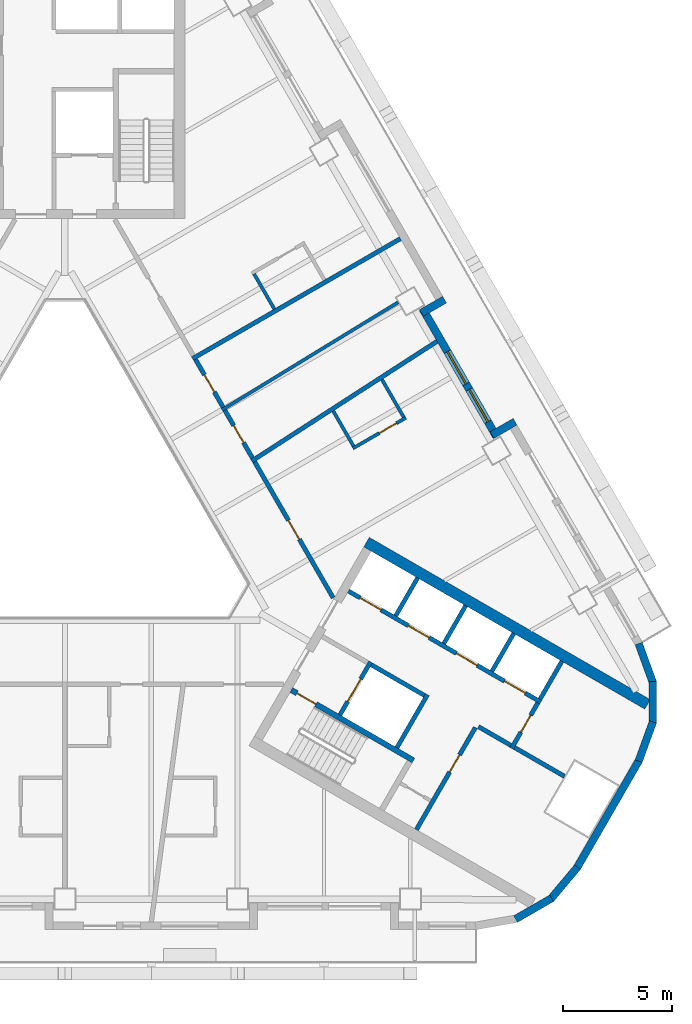
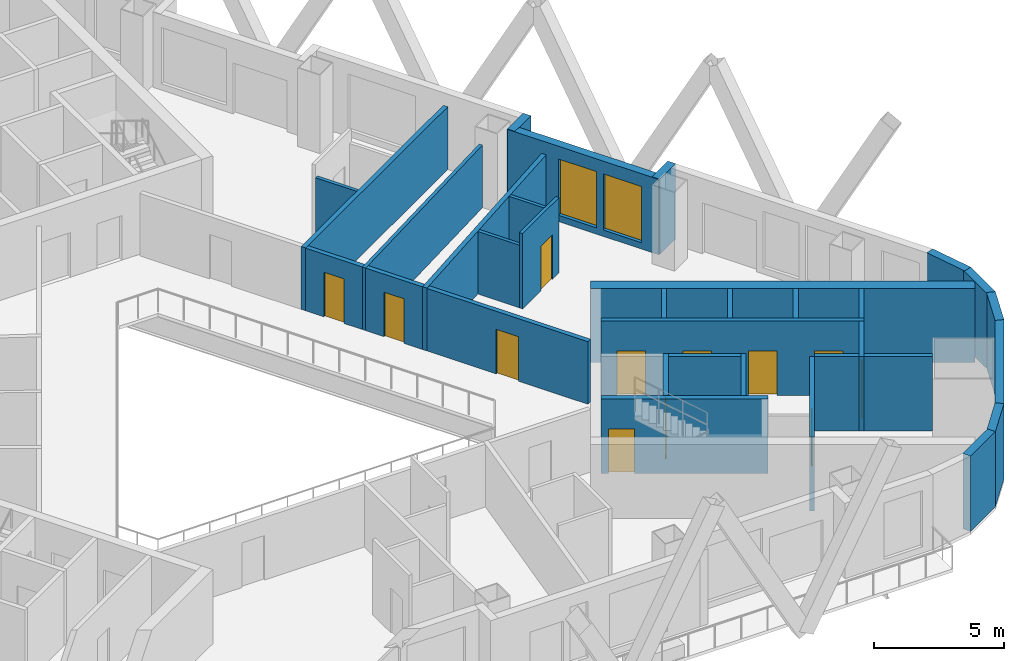
# One storey, part 5 of 13: 33 walls, 12 doors, 2 windows, 14 openings.
"""IFC4 building model written with IfcOpenShell, lengths in metres."""

from ifc_helpers import new_model, si_unit, direction, frame, frame_2d, origin, place, context, subcontext, project, spatial, rectangle, extrude, material, layer, layer_set, type_object, element, fill, save


model = new_model("IFC4")

# Units and contexts
model_context = context("Model", 3, precision=1e-05, world=origin(), true_north=direction((0.0, 1.0)))
body_context = subcontext(model_context, "Body", "Model", "MODEL_VIEW")
ifc_project = project(units=[si_unit("LENGTHUNIT", "METRE"), si_unit("AREAUNIT", "SQUARE_METRE"), si_unit("VOLUMEUNIT", "CUBIC_METRE"), si_unit("PLANEANGLEUNIT", "RADIAN"), si_unit("MASSUNIT", "GRAM", prefix="KILO")], contexts=[model_context])

# Site, building, storey
site_placement = place(None, origin())
site = spatial("IfcSite", under=ifc_project, at=site_placement, CompositionType="ELEMENT")
building_placement = place(site_placement, origin())
building = spatial("IfcBuilding", under=site, at=building_placement, Name="Apuvela Tower Hotel", CompositionType="ELEMENT")
storey_placement = place(building_placement, frame((0.0, 0.0, 68.699951171875)))
storey = spatial("IfcBuildingStorey", under=building, at=storey_placement, Name="L14", CompositionType="ELEMENT", Elevation=68.699951171875)

# Wall
ifc_material_1 = material(Name="Concrete C50/60", Category="concrete")
ifc_layer_1 = layer(ifc_material_1, 0.5)
ifc_layer_set_1 = layer_set([ifc_layer_1], Name="COR-WALL-CORE-500")
wall_type_1 = type_object("IfcWallType", Name="COR-WALL-CORE-500", PredefinedType="SHEAR", material=ifc_layer_set_1)
wall_1_placement = place(storey_placement, frame((13.796630859375, -1.9033203125, 0.0), z_axis=(0.0, 0.0, 1.0), x_axis=(0.866025009528, -0.500000682871, 0.0)))
element("IfcWall", 1, at=wall_1_placement, inside=storey, type_object=wall_type_1, Name="Core wall SE", PredefinedType="SHEAR", context=body_context, shape_type="SweptSolid", body=[
    extrude(rectangle(XDim=14.8369140625, YDim=0.5, at=frame_2d((7.41845703125, 0.0))), origin(), (0.0, 0.0, 1.0), 3.5),
])

# Wall, opening, door
ifc_material_2 = material(Name="Blockwork 200 mm plastered", Category="masonry")
ifc_layer_2 = layer(ifc_material_2, 0.199951171875)
ifc_layer_set_2 = layer_set([ifc_layer_2], Name="COR-WALL-PART-200")
wall_type_2 = type_object("IfcWallType", Name="COR-WALL-PART-200", PredefinedType="PARTITIONING", material=ifc_layer_set_2)
wall_2_placement = place(storey_placement, frame((16.076171875, -15.05517578125, 0.0), z_axis=(0.0, 0.0, 1.0), x_axis=(0.499995103361, 0.866028230842, 0.0)))
wall_2 = element("IfcWall", 2, at=wall_2_placement, inside=storey, type_object=wall_type_2, Name="Partition SE", PredefinedType="PARTITIONING", context=body_context, shape_type="SweptSolid", body=[
    extrude(rectangle(XDim=5.39990234375, YDim=0.199951171875, at=frame_2d((2.699951171875, 0.0))), origin(), (0.0, 0.0, 1.0), 3.5),
])
opening_1_placement = place(wall_2_placement, frame((3.050048828125, 0.0, 0.0)))
opening_1 = element("IfcOpeningElement", 3, at=opening_1_placement, cuts=wall_2, Name="Opening E-RS1", PredefinedType="OPENING", context=body_context, shape_type="SweptSolid", body=[
    extrude(rectangle(XDim=0.89990234375, YDim=2.10009765625, at=frame_2d((0.449951171875, 1.050048828125))), frame((0.0, 0.10986328125, 0.0), z_axis=(0.0, -1.0, 0.0), x_axis=(1.0, 0.0, 0.0)), (0.0, 0.0, 1.0), 0.219970703125),
])
ifc_material_3 = material(Name="Steel fire door, powder coated", Category="steel")
door_type_1 = type_object("IfcDoorType", Name="COR-DR-900", OperationType="NOTDEFINED", PredefinedType="DOOR", material=ifc_material_3)
door_1_placement = place(opening_1_placement, frame((0.89990234375, 0.0, 0.0), z_axis=(0.0, 0.0, 1.0), x_axis=(-1.0, 0.0, 0.0)))
door_1 = element("IfcDoor", 4, at=door_1_placement, inside=storey, type_object=door_type_1, Name="Store door E-RS1", OperationType="SINGLE_SWING_LEFT", OverallHeight=2.10009765625, OverallWidth=0.89990234375, PredefinedType="DOOR", context=body_context, shape_type="SweptSolid", body=[
    extrude(rectangle(XDim=0.89990234375, YDim=2.10009765625, at=frame_2d((0.449951171875, 1.050048828125))), frame((0.0, 0.02490234375, 0.0), z_axis=(0.0, -1.0, 0.0), x_axis=(1.0, 0.0, 0.0)), (0.0, 0.0, 1.0), 0.050048828125),
])
fill(opening_1, door_1)

# Wall
ifc_layer_3 = layer(ifc_material_1, 0.199951171875)
ifc_layer_set_3 = layer_set([ifc_layer_3], Name="COR-WALL-SHAFT-200")
wall_type_3 = type_object("IfcWallType", Name="COR-WALL-SHAFT-200", PredefinedType="SHEAR", material=ifc_layer_set_3)
wall_3_placement = place(storey_placement, frame((15.181396484375, -11.305419921875, 0.0), z_axis=(0.0, 0.0, 1.0), x_axis=(0.49994636267, 0.866056369097, 0.0)))
element("IfcWall", 5, at=wall_3_placement, inside=storey, type_object=wall_type_3, Name="Shaft wall SE", PredefinedType="SHEAR", context=body_context, shape_type="SweptSolid", body=[
    extrude(rectangle(XDim=2.800048828125, YDim=0.199951171875, at=frame_2d((1.39990234375, 0.0))), origin(), (0.0, 0.0, 1.0), 3.5),
])

# Wall, opening, door
wall_4_placement = place(storey_placement, frame((12.583251953125, -9.805419921875, 0.0), z_axis=(0.0, 0.0, 1.0), x_axis=(0.49994636267, 0.866056369097, 0.0)))
wall_4 = element("IfcWall", 6, at=wall_4_placement, inside=storey, type_object=wall_type_3, Name="Shaft wall SE", PredefinedType="SHEAR", context=body_context, shape_type="SweptSolid", body=[
    extrude(rectangle(XDim=2.800048828125, YDim=0.199951171875, at=frame_2d((1.39990234375, 0.0))), origin(), (0.0, 0.0, 1.0), 3.5),
])
opening_2_placement = place(wall_4_placement, frame((0.699951171875, 0.0, 0.0)))
opening_2 = element("IfcOpeningElement", 7, at=opening_2_placement, cuts=wall_4, Name="Opening E-LD-FS3", PredefinedType="OPENING", context=body_context, shape_type="SweptSolid", body=[
    extrude(rectangle(XDim=1.199951171875, YDim=2.10009765625, at=frame_2d((0.60009765625, 1.050048828125))), frame((0.0, 0.10986328125, 0.0), z_axis=(0.0, -1.0, 0.0), x_axis=(1.0, 0.0, 0.0)), (0.0, 0.0, 1.0), 0.219970703125),
])
ifc_material_4 = material(Name="Stainless steel lift landing door", Category="steel")
door_type_2 = type_object("IfcDoorType", Name="COR-LD-1200", OperationType="DOUBLE_DOOR_SLIDING", PredefinedType="DOOR", material=ifc_material_4)
door_2_placement = place(opening_2_placement, origin())
door_2 = element("IfcDoor", 8, at=door_2_placement, inside=storey, type_object=door_type_2, Name="Lift landing door E-LD-FS3", OperationType="DOUBLE_DOOR_SLIDING", OverallHeight=2.10009765625, OverallWidth=1.199951171875, PredefinedType="DOOR", context=body_context, shape_type="SweptSolid", body=[
    extrude(rectangle(XDim=1.199951171875, YDim=2.10009765625, at=frame_2d((0.60009765625, 1.050048828125))), frame((0.0, 0.02490234375, 0.0), z_axis=(0.0, -1.0, 0.0), x_axis=(1.0, 0.0, 0.0)), (0.0, 0.0, 1.0), 0.050048828125),
])
fill(opening_2, door_2)

# Wall
wall_5_placement = place(storey_placement, frame((14.019775390625, -7.51708984375, 0.0), z_axis=(0.0, 0.0, 1.0), x_axis=(0.866034573852, -0.49998411664, 0.0)))
element("IfcWall", 9, at=wall_5_placement, inside=storey, type_object=wall_type_3, Name="Shaft wall SE", PredefinedType="SHEAR", context=body_context, shape_type="SweptSolid", body=[
    extrude(rectangle(XDim=2.7998046875, YDim=0.199951171875, at=frame_2d((1.39990234375, 0.0))), origin(), (0.0, 0.0, 1.0), 3.5),
])

# Wall, openings, doors
wall_6_placement = place(storey_placement, frame((12.968017578125, -4.138427734375, 0.0), z_axis=(0.0, 0.0, 1.0), x_axis=(0.866028328073, -0.49999493495, 0.0)))
wall_6 = element("IfcWall", 10, at=wall_6_placement, inside=storey, type_object=wall_type_3, Name="Shaft wall SE", PredefinedType="SHEAR", context=body_context, shape_type="SweptSolid", body=[
    extrude(rectangle(XDim=10.16015625, YDim=0.199951171875, at=frame_2d((5.080078125, 0.0))), origin(), (0.0, 0.0, 1.0), 3.5),
])
opening_3_placement = place(wall_6_placement, frame((0.6201171875, 0.0, 0.0)))
opening_3 = element("IfcOpeningElement", 11, at=opening_3_placement, cuts=wall_6, Name="Opening E-LD-LR1", PredefinedType="OPENING", context=body_context, shape_type="SweptSolid", body=[
    extrude(rectangle(XDim=1.10009765625, YDim=2.10009765625, at=frame_2d((0.550048828125, 1.050048828125))), frame((0.0, 0.10986328125, 0.0), z_axis=(0.0, -1.0, 0.0), x_axis=(1.0, 0.0, 0.0)), (0.0, 0.0, 1.0), 0.219970703125),
])
opening_4_placement = place(wall_6_placement, frame((3.159912109375, 0.0, 0.0)))
opening_4 = element("IfcOpeningElement", 12, at=opening_4_placement, cuts=wall_6, Name="Opening E-LD-LR2", PredefinedType="OPENING", context=body_context, shape_type="SweptSolid", body=[
    extrude(rectangle(XDim=1.10009765625, YDim=2.10009765625, at=frame_2d((0.550048828125, 1.050048828125))), frame((0.0, 0.10986328125, 0.0), z_axis=(0.0, -1.0, 0.0), x_axis=(1.0, 0.0, 0.0)), (0.0, 0.0, 1.0), 0.219970703125),
])
opening_5_placement = place(wall_6_placement, frame((5.699951171875, 0.0, 0.0)))
opening_5 = element("IfcOpeningElement", 13, at=opening_5_placement, cuts=wall_6, Name="Opening E-LD-LR3", PredefinedType="OPENING", context=body_context, shape_type="SweptSolid", body=[
    extrude(rectangle(XDim=1.10009765625, YDim=2.10009765625, at=frame_2d((0.550048828125, 1.050048828125))), frame((0.0, 0.10986328125, 0.0), z_axis=(0.0, -1.0, 0.0), x_axis=(1.0, 0.0, 0.0)), (0.0, 0.0, 1.0), 0.219970703125),
])
opening_6_placement = place(wall_6_placement, frame((8.239990234375, 0.0, 0.0)))
opening_6 = element("IfcOpeningElement", 14, at=opening_6_placement, cuts=wall_6, Name="Opening E-LD-LR4", PredefinedType="OPENING", context=body_context, shape_type="SweptSolid", body=[
    extrude(rectangle(XDim=1.10009765625, YDim=2.10009765625, at=frame_2d((0.550048828125, 1.050048828125))), frame((0.0, 0.10986328125, 0.0), z_axis=(0.0, -1.0, 0.0), x_axis=(1.0, 0.0, 0.0)), (0.0, 0.0, 1.0), 0.219970703125),
])
door_type_3 = type_object("IfcDoorType", Name="COR-LD-1100", OperationType="DOUBLE_DOOR_SLIDING", PredefinedType="DOOR", material=ifc_material_4)
door_3_placement = place(opening_3_placement, origin())
door_3 = element("IfcDoor", 15, at=door_3_placement, inside=storey, type_object=door_type_3, Name="Lift landing door E-LD-LR1", OperationType="DOUBLE_DOOR_SLIDING", OverallHeight=2.10009765625, OverallWidth=1.10009765625, PredefinedType="DOOR", context=body_context, shape_type="SweptSolid", body=[
    extrude(rectangle(XDim=1.10009765625, YDim=2.10009765625, at=frame_2d((0.550048828125, 1.050048828125))), frame((0.0, 0.02490234375, 0.0), z_axis=(0.0, -1.0, 0.0), x_axis=(1.0, 0.0, 0.0)), (0.0, 0.0, 1.0), 0.050048828125),
])
fill(opening_3, door_3)
door_4_placement = place(opening_4_placement, origin())
door_4 = element("IfcDoor", 16, at=door_4_placement, inside=storey, type_object=door_type_3, Name="Lift landing door E-LD-LR2", OperationType="DOUBLE_DOOR_SLIDING", OverallHeight=2.10009765625, OverallWidth=1.10009765625, PredefinedType="DOOR", context=body_context, shape_type="SweptSolid", body=[
    extrude(rectangle(XDim=1.10009765625, YDim=2.10009765625, at=frame_2d((0.550048828125, 1.050048828125))), frame((0.0, 0.02490234375, 0.0), z_axis=(0.0, -1.0, 0.0), x_axis=(1.0, 0.0, 0.0)), (0.0, 0.0, 1.0), 0.050048828125),
])
fill(opening_4, door_4)
door_5_placement = place(opening_5_placement, origin())
door_5 = element("IfcDoor", 17, at=door_5_placement, inside=storey, type_object=door_type_3, Name="Lift landing door E-LD-LR3", OperationType="DOUBLE_DOOR_SLIDING", OverallHeight=2.10009765625, OverallWidth=1.10009765625, PredefinedType="DOOR", context=body_context, shape_type="SweptSolid", body=[
    extrude(rectangle(XDim=1.10009765625, YDim=2.10009765625, at=frame_2d((0.550048828125, 1.050048828125))), frame((0.0, 0.02490234375, 0.0), z_axis=(0.0, -1.0, 0.0), x_axis=(1.0, 0.0, 0.0)), (0.0, 0.0, 1.0), 0.050048828125),
])
fill(opening_5, door_5)
door_6_placement = place(opening_6_placement, origin())
door_6 = element("IfcDoor", 18, at=door_6_placement, inside=storey, type_object=door_type_3, Name="Lift landing door E-LD-LR4", OperationType="DOUBLE_DOOR_SLIDING", OverallHeight=2.10009765625, OverallWidth=1.10009765625, PredefinedType="DOOR", context=body_context, shape_type="SweptSolid", body=[
    extrude(rectangle(XDim=1.10009765625, YDim=2.10009765625, at=frame_2d((0.550048828125, 1.050048828125))), frame((0.0, 0.02490234375, 0.0), z_axis=(0.0, -1.0, 0.0), x_axis=(1.0, 0.0, 0.0)), (0.0, 0.0, 1.0), 0.050048828125),
])
fill(opening_6, door_6)

# Wall, opening, door
wall_7_placement = place(storey_placement, frame((20.430419921875, -11.33349609375, 0.0), z_axis=(0.0, 0.0, 1.0), x_axis=(0.500001309137, 0.866024647952, 0.0)))
wall_7 = element("IfcWall", 19, at=wall_7_placement, inside=storey, type_object=wall_type_3, Name="Shaft wall SE", PredefinedType="SHEAR", context=body_context, shape_type="SweptSolid", body=[
    extrude(rectangle(XDim=2.39990234375, YDim=0.199951171875, at=frame_2d((1.199951171875, 0.0))), origin(), (0.0, 0.0, 1.0), 3.5),
])
opening_7_placement = place(wall_7_placement, frame((0.85009765625, 0.0, 0.0)))
opening_7 = element("IfcOpeningElement", 20, at=opening_7_placement, cuts=wall_7, Name="Opening E-REP", PredefinedType="OPENING", context=body_context, shape_type="SweptSolid", body=[
    extrude(rectangle(XDim=0.89990234375, YDim=2.10009765625, at=frame_2d((0.449951171875, 1.050048828125))), frame((0.0, 0.10986328125, 0.0), z_axis=(0.0, -1.0, 0.0), x_axis=(1.0, 0.0, 0.0)), (0.0, 0.0, 1.0), 0.219970703125),
])
door_7_placement = place(opening_7_placement, frame((0.89990234375, 0.0, 0.0), z_axis=(0.0, 0.0, 1.0), x_axis=(-1.0, 0.0, 0.0)))
door_7 = element("IfcDoor", 21, at=door_7_placement, inside=storey, type_object=door_type_1, Name="Store door E-REP", OperationType="SINGLE_SWING_RIGHT", OverallHeight=2.10009765625, OverallWidth=0.89990234375, PredefinedType="DOOR", context=body_context, shape_type="SweptSolid", body=[
    extrude(rectangle(XDim=0.89990234375, YDim=2.10009765625, at=frame_2d((0.449951171875, 1.050048828125))), frame((0.0, 0.02490234375, 0.0), z_axis=(0.0, -1.0, 0.0), x_axis=(1.0, 0.0, 0.0)), (0.0, 0.0, 1.0), 0.050048828125),
])
fill(opening_7, door_7)

# Walls
wall_8_placement = place(storey_placement, frame((18.912841796875, -10.342041015625, 0.0), z_axis=(0.0, 0.0, 1.0), x_axis=(0.866038183914, -0.499977863513, 0.0)))
element("IfcWall", 22, at=wall_8_placement, inside=storey, type_object=wall_type_3, Name="Shaft wall SE", PredefinedType="SHEAR", context=body_context, shape_type="SweptSolid", body=[
    extrude(rectangle(XDim=1.7099609375, YDim=0.199951171875, at=frame_2d((0.85498046875, 0.0))), origin(), (0.0, 0.0, 1.0), 3.5),
])
for number, where, z_axis, x_axis, name in (
    (23, (15.131103515625, -5.27197265625, 0.0), (0.0, 0.0, 1.0), (0.499972520799, 0.866041268327, 0.0), "Shaft wall SE"),
    (24, (17.330810546875, -6.5419921875, 0.0), (0.0, 0.0, 1.0), (0.499972520799, 0.866041268327, 0.0), "Shaft wall SE"),
    (25, (19.530517578125, -7.81201171875, 0.0), (0.0, 0.0, 1.0), (0.499972520799, 0.866041268327, 0.0), "Shaft wall SE"),
    (26, (21.73046875, -9.081787109375, 0.0), (0.0, 0.0, 1.0), (0.50002537861, 0.866010750942, 0.0), "Shaft wall SE"),
):
    element("IfcWall", number, at=place(storey_placement, frame(where, z_axis=z_axis, x_axis=x_axis)), inside=storey, type_object=wall_type_3, Name=name, PredefinedType="SHEAR", context=body_context, shape_type="SweptSolid", body=[
        extrude(rectangle(XDim=2.0, YDim=0.199951171875, at=frame_2d((1.0, 0.0))), origin(), (0.0, 0.0, 1.0), 3.5),
    ])
wall_9_placement = place(storey_placement, frame((20.56689453125, -11.297119140625, 0.0), z_axis=(0.0, 0.0, 1.0), x_axis=(0.866060851709, -0.499938597367, 0.0)))
element("IfcWall", 27, at=wall_9_placement, inside=storey, type_object=wall_type_3, Name="Shaft wall SE", PredefinedType="SHEAR", context=body_context, shape_type="SweptSolid", body=[
    extrude(rectangle(XDim=2.639892578125, YDim=0.199951171875, at=frame_2d((1.31982421875, 0.0))), origin(), (0.0, 0.0, 1.0), 3.5),
])

# Wall, opening, door
ifc_layer_4 = layer(ifc_material_1, 0.25)
ifc_layer_set_4 = layer_set([ifc_layer_4], Name="COR-WALL-STAIR-250")
wall_type_4 = type_object("IfcWallType", Name="COR-WALL-STAIR-250", PredefinedType="SHEAR", material=ifc_layer_set_4)
wall_10_placement = place(storey_placement, frame((10.355712890625, -8.66357421875, 0.0), z_axis=(0.0, 0.0, 1.0), x_axis=(0.866028629588, -0.499994412703, 0.0)))
wall_10 = element("IfcWall", 28, at=wall_10_placement, inside=storey, type_object=wall_type_4, Name="Stair wall SE", PredefinedType="SHEAR", context=body_context, shape_type="SweptSolid", body=[
    extrude(rectangle(XDim=6.44970703125, YDim=0.25, at=frame_2d((3.224853515625, 0.0))), origin(), (0.0, 0.0, 1.0), 3.5),
])
opening_8_placement = place(wall_10_placement, frame((0.300048828125, 0.0, 0.0)))
opening_8 = element("IfcOpeningElement", 29, at=opening_8_placement, cuts=wall_10, Name="Opening E-SD", PredefinedType="OPENING", context=body_context, shape_type="SweptSolid", body=[
    extrude(rectangle(XDim=1.0, YDim=2.10009765625, at=frame_2d((0.5, 1.050048828125))), frame((0.0, 0.135009765625, 0.0), z_axis=(0.0, -1.0, 0.0), x_axis=(1.0, 0.0, 0.0)), (0.0, 0.0, 1.0), 0.27001953125),
])
door_type_4 = type_object("IfcDoorType", Name="COR-SD-1000", OperationType="NOTDEFINED", PredefinedType="DOOR", material=ifc_material_3)
door_8_placement = place(opening_8_placement, frame((1.0, 0.0, 0.0), z_axis=(0.0, 0.0, 1.0), x_axis=(-1.0, 0.0, 0.0)))
door_8 = element("IfcDoor", 30, at=door_8_placement, inside=storey, type_object=door_type_4, Name="Stair door E-SD", OperationType="SINGLE_SWING_LEFT", OverallHeight=2.10009765625, OverallWidth=1.0, PredefinedType="DOOR", context=body_context, shape_type="SweptSolid", body=[
    extrude(rectangle(XDim=1.0, YDim=2.10009765625, at=frame_2d((0.5, 1.050048828125))), frame((0.0, 0.02490234375, 0.0), z_axis=(0.0, -1.0, 0.0), x_axis=(1.0, 0.0, 0.0)), (0.0, 0.0, 1.0), 0.050048828125),
])
fill(opening_8, door_8)

# Walls
ifc_material_5 = material(Name="Concrete C40/50, dark pigmented precast panel", Category="concrete")
ifc_layer_5 = layer(ifc_material_5, 0.35009765625)
ifc_layer_set_5 = layer_set([ifc_layer_5], Name="ENV-WALL-350")
wall_type_5 = type_object("IfcWallType", Name="ENV-WALL-350", PredefinedType="SOLIDWALL", material=ifc_layer_set_5)
for number, where, z_axis, x_axis, name in (
    (31, (20.609619140625, -19.146728515625, 0.0), (0.0, 0.0, 1.0), (0.866000389056, 0.500043324278, 0.0), "External wall L14-27"),
    (32, (22.21728515625, -18.230712890625, 0.0), (0.0, 0.0, 1.0), (0.642733291068, 0.76609001857, 0.0), "External wall L14-28"),
):
    element("IfcWall", number, at=place(storey_placement, frame(where, z_axis=z_axis, x_axis=x_axis)), inside=storey, type_object=wall_type_5, Name=name, PredefinedType="SOLIDWALL", context=body_context, shape_type="SweptSolid", body=[
        extrude(rectangle(XDim=1.909912109375, YDim=0.35009765625, at=frame_2d((0.955078125, 0.0))), origin(), (0.0, 0.0, 1.0), 3.550048828125),
    ])
wall_11_placement = place(storey_placement, frame((23.427490234375, -16.79248046875, 0.0), z_axis=(0.0, 0.0, 1.0), x_axis=(0.500018773155, 0.866014564827, 0.0)))
element("IfcWall", 33, at=wall_11_placement, inside=storey, type_object=wall_type_5, Name="External wall L14-29", PredefinedType="SOLIDWALL", context=body_context, shape_type="SweptSolid", body=[
    extrude(rectangle(XDim=5.657958984375, YDim=0.35009765625, at=frame_2d((2.8291015625, 0.0))), origin(), (0.0, 0.0, 1.0), 3.550048828125),
])
for number, where, z_axis, x_axis, name in (
    (34, (26.24365234375, -11.920166015625, 0.0), (0.0, 0.0, 1.0), (0.342030395486, 0.939688889242, 0.0), "External wall L14-30"),
    (35, (26.88623046875, -10.18505859375, 0.0), (0.0, 0.0, 1.0), (0.0, 1.0, 0.0), "External wall L14-31"),
    (36, (26.89697265625, -8.334716796875, 0.0), (0.0, 0.0, 1.0), (-0.342030395486, 0.939688889242, 0.0), "External wall L14-32"),
):
    element("IfcWall", number, at=place(storey_placement, frame(where, z_axis=z_axis, x_axis=x_axis)), inside=storey, type_object=wall_type_5, Name=name, PredefinedType="SOLIDWALL", context=body_context, shape_type="SweptSolid", body=[
        extrude(rectangle(XDim=1.91015625, YDim=0.35009765625, at=frame_2d((0.955078125, 0.0))), origin(), (0.0, 0.0, 1.0), 3.550048828125),
    ])
wall_12_placement = place(storey_placement, frame((20.587646484375, 3.601318359375, 0.0), z_axis=(0.0, 0.0, 1.0), x_axis=(-0.866005645448, -0.500034220881, 0.0)))
element("IfcWall", 37, at=wall_12_placement, inside=storey, type_object=wall_type_5, Name="External wall L14-34", PredefinedType="SOLIDWALL", context=body_context, shape_type="SweptSolid", body=[
    extrude(rectangle(XDim=1.22021484375, YDim=0.35009765625, at=frame_2d((0.610107421875, 0.0))), origin(), (0.0, 0.0, 1.0), 3.550048828125),
])

# Wall, openings, windows
wall_13_placement = place(storey_placement, frame((19.72900390625, 2.93798828125, 0.0), z_axis=(0.0, 0.0, 1.0), x_axis=(-0.499976430342, 0.866039011305, 0.0)))
wall_13 = element("IfcWall", 38, at=wall_13_placement, inside=storey, type_object=wall_type_5, Name="External wall L14-35", PredefinedType="SOLIDWALL", context=body_context, shape_type="SweptSolid", body=[
    extrude(rectangle(XDim=6.739990234375, YDim=0.35009765625, at=frame_2d((3.3701171875, 0.0))), origin(), (0.0, 0.0, 1.0), 3.550048828125),
])
opening_9_placement = place(wall_13_placement, frame((0.77001953125, 0.0, 0.300048828125)))
opening_9 = element("IfcOpeningElement", 39, at=opening_9_placement, cuts=wall_13, Name="Opening WN17", PredefinedType="OPENING", context=body_context, shape_type="SweptSolid", body=[
    extrude(rectangle(XDim=1.699951171875, YDim=2.64990234375, at=frame_2d((0.85009765625, 1.324951171875))), frame((0.0, 0.18505859375, 0.0), z_axis=(0.0, -1.0, 0.0), x_axis=(1.0, 0.0, 0.0)), (0.0, 0.0, 1.0), 0.3701171875),
])
opening_10_placement = place(wall_13_placement, frame((2.77001953125, 0.0, 0.300048828125)))
opening_10 = element("IfcOpeningElement", 40, at=opening_10_placement, cuts=wall_13, Name="Opening WN17", PredefinedType="OPENING", context=body_context, shape_type="SweptSolid", body=[
    extrude(rectangle(XDim=1.699951171875, YDim=2.64990234375, at=frame_2d((0.85009765625, 1.324951171875))), frame((0.0, 0.18505859375, 0.0), z_axis=(0.0, -1.0, 0.0), x_axis=(1.0, 0.0, 0.0)), (0.0, 0.0, 1.0), 0.3701171875),
])
ifc_material_6 = material(Name="Glass, dark tinted laminated insulated glazing unit", Category="glass")
window_type = type_object("IfcWindowType", Name="ENV-WIN-1700x2650", PartitioningType="SINGLE_PANEL", PredefinedType="WINDOW", material=ifc_material_6)
window_1_placement = place(opening_9_placement, origin())
window_1 = element("IfcWindow", 41, at=window_1_placement, inside=storey, type_object=window_type, Name="Window WN17", OverallHeight=2.64990234375, OverallWidth=1.699951171875, PartitioningType="SINGLE_PANEL", PredefinedType="WINDOW", context=body_context, shape_type="SweptSolid", body=[
    extrude(rectangle(XDim=1.699951171875, YDim=2.64990234375, at=frame_2d((0.85009765625, 1.324951171875))), frame((0.0, 0.030029296875, 0.0), z_axis=(0.0, -1.0, 0.0), x_axis=(1.0, 0.0, 0.0)), (0.0, 0.0, 1.0), 0.06005859375),
])
fill(opening_9, window_1)
window_2_placement = place(opening_10_placement, origin())
window_2 = element("IfcWindow", 42, at=window_2_placement, inside=storey, type_object=window_type, Name="Window WN17", OverallHeight=2.64990234375, OverallWidth=1.699951171875, PartitioningType="SINGLE_PANEL", PredefinedType="WINDOW", context=body_context, shape_type="SweptSolid", body=[
    extrude(rectangle(XDim=1.699951171875, YDim=2.64990234375, at=frame_2d((0.85009765625, 1.324951171875))), frame((0.0, 0.030029296875, 0.0), z_axis=(0.0, -1.0, 0.0), x_axis=(1.0, 0.0, 0.0)), (0.0, 0.0, 1.0), 0.06005859375),
])
fill(opening_10, window_2)

# Walls
wall_14_placement = place(storey_placement, frame((16.305908203125, 8.5771484375, 0.0), z_axis=(0.0, 0.0, 1.0), x_axis=(0.866092288191, 0.499884134912, 0.0)))
element("IfcWall", 43, at=wall_14_placement, inside=storey, type_object=wall_type_5, Name="External wall L14-36", PredefinedType="SOLIDWALL", context=body_context, shape_type="SweptSolid", body=[
    extrude(rectangle(XDim=1.219970703125, YDim=0.35009765625, at=frame_2d((0.60986328125, 0.0))), origin(), (0.0, 0.0, 1.0), 3.550048828125),
])
ifc_material_7 = material(Name="Gypsum board partition on twin steel stud", Category="steel")
ifc_layer_6 = layer(ifc_material_7, 0.199951171875)
ifc_layer_set_6 = layer_set([ifc_layer_6], Name="GST-PW1")
wall_type_6 = type_object("IfcWallType", Name="GST-PW1", PredefinedType="PARTITIONING", material=ifc_layer_set_6)
wall_15_placement = place(storey_placement, frame((17.02001953125, 7.2802734375, 0.0), z_axis=(0.0, 0.0, 1.0), x_axis=(-0.839924980805, -0.542702521294, 0.0)))
element("IfcWall", 44, at=wall_15_placement, inside=storey, type_object=wall_type_6, Name="L14 partition 03", PredefinedType="PARTITIONING", context=body_context, shape_type="SweptSolid", body=[
    extrude(rectangle(XDim=10.092529296875, YDim=0.199951171875, at=frame_2d((5.04638671875, 0.0))), origin(), (0.0, 0.0, 1.0), 2.9599609375),
])
wall_16_placement = place(storey_placement, frame((15.346923828125, 11.978271484375, 0.0), z_axis=(0.0, 0.0, 1.0), x_axis=(-0.866027479907, -0.499996404033, 0.0)))
element("IfcWall", 45, at=wall_16_placement, inside=storey, type_object=wall_type_6, Name="L14 partition 04", PredefinedType="PARTITIONING", context=body_context, shape_type="SweptSolid", body=[
    extrude(rectangle(XDim=10.97998046875, YDim=0.199951171875, at=frame_2d((5.489990234375, 0.0))), origin(), (0.0, 0.0, 1.0), 2.9599609375),
])

# Wall, opening, door
ifc_material_8 = material(Name="Gypsum board corridor wall on twin steel stud, acoustic", Category="steel")
ifc_layer_7 = layer(ifc_material_8, 0.199951171875)
ifc_layer_set_7 = layer_set([ifc_layer_7], Name="GST-PW2")
wall_type_7 = type_object("IfcWallType", Name="GST-PW2", PredefinedType="PARTITIONING", material=ifc_layer_set_7)
wall_17_placement = place(storey_placement, frame((8.67724609375, 1.770751953125, 0.0), z_axis=(0.0, 0.0, 1.0), x_axis=(0.50000293509, -0.866023709203, 0.0)))
wall_17 = element("IfcWall", 46, at=wall_17_placement, inside=storey, type_object=wall_type_7, Name="L14 partition 18", PredefinedType="PARTITIONING", context=body_context, shape_type="SweptSolid", body=[
    extrude(rectangle(XDim=7.18310546875, YDim=0.199951171875, at=frame_2d((3.591552734375, 0.0))), origin(), (0.0, 0.0, 1.0), 2.949951171875),
])
opening_11_placement = place(wall_17_placement, frame((3.091552734375, 0.0, 0.0)))
opening_11 = element("IfcOpeningElement", 47, at=opening_11_placement, cuts=wall_17, Name="Opening GD03-08", PredefinedType="OPENING", context=body_context, shape_type="SweptSolid", body=[
    extrude(rectangle(XDim=1.0, YDim=2.10009765625, at=frame_2d((0.5, 1.050048828125))), frame((0.0, 0.10986328125, 0.0), z_axis=(0.0, -1.0, 0.0), x_axis=(1.0, 0.0, 0.0)), (0.0, 0.0, 1.0), 0.219970703125),
])
ifc_material_9 = material(Name="Timber door leaf in steel frame", Category="steel")
door_type_5 = type_object("IfcDoorType", Name="GST-D1", OperationType="NOTDEFINED", PredefinedType="DOOR", material=ifc_material_9)
door_9_placement = place(opening_11_placement, origin())
door_9 = element("IfcDoor", 48, at=door_9_placement, inside=storey, type_object=door_type_5, Name="Door L14-08", OperationType="SINGLE_SWING_LEFT", OverallHeight=2.10009765625, OverallWidth=1.0, PredefinedType="DOOR", context=body_context, shape_type="SweptSolid", body=[
    extrude(rectangle(XDim=1.0, YDim=2.10009765625, at=frame_2d((0.5, 1.050048828125))), frame((0.0, 0.02490234375, 0.0), z_axis=(0.0, -1.0, 0.0), x_axis=(1.0, 0.0, 0.0)), (0.0, 0.0, 1.0), 0.050048828125),
])
fill(opening_11, door_9)

wall_18_placement = place(storey_placement, frame((7.3134765625, 4.1328125, 0.0), z_axis=(0.0, 0.0, 1.0), x_axis=(0.500003972934, -0.866023109998, 0.0)))
wall_18 = element("IfcWall", 49, at=wall_18_placement, inside=storey, type_object=wall_type_7, Name="L14 partition 23", PredefinedType="PARTITIONING", context=body_context, shape_type="SweptSolid", body=[
    extrude(rectangle(XDim=2.52734375, YDim=0.199951171875, at=frame_2d((1.263671875, 0.0))), origin(), (0.0, 0.0, 1.0), 2.949951171875),
])
opening_12_placement = place(wall_18_placement, frame((0.813720703125, 0.0, 0.0)))
opening_12 = element("IfcOpeningElement", 50, at=opening_12_placement, cuts=wall_18, Name="Opening GD03-09", PredefinedType="OPENING", context=body_context, shape_type="SweptSolid", body=[
    extrude(rectangle(XDim=0.89990234375, YDim=2.10009765625, at=frame_2d((0.449951171875, 1.050048828125))), frame((0.0, 0.10986328125, 0.0), z_axis=(0.0, -1.0, 0.0), x_axis=(1.0, 0.0, 0.0)), (0.0, 0.0, 1.0), 0.219970703125),
])
door_type_6 = type_object("IfcDoorType", Name="GST-D2", OperationType="NOTDEFINED", PredefinedType="DOOR", material=ifc_material_9)
door_10_placement = place(opening_12_placement, origin())
door_10 = element("IfcDoor", 51, at=door_10_placement, inside=storey, type_object=door_type_6, Name="Door L14-09", OperationType="SINGLE_SWING_LEFT", OverallHeight=2.10009765625, OverallWidth=0.89990234375, PredefinedType="DOOR", context=body_context, shape_type="SweptSolid", body=[
    extrude(rectangle(XDim=0.89990234375, YDim=2.10009765625, at=frame_2d((0.449951171875, 1.050048828125))), frame((0.0, 0.02490234375, 0.0), z_axis=(0.0, -1.0, 0.0), x_axis=(1.0, 0.0, 0.0)), (0.0, 0.0, 1.0), 0.050048828125),
])
fill(opening_12, door_10)

wall_19_placement = place(storey_placement, frame((5.974609375, 6.45166015625, 0.0), z_axis=(0.0, 0.0, 1.0), x_axis=(0.499962146402, -0.866047257466, 0.0)))
wall_19 = element("IfcWall", 52, at=wall_19_placement, inside=storey, type_object=wall_type_7, Name="L14 partition 24", PredefinedType="PARTITIONING", context=body_context, shape_type="SweptSolid", body=[
    extrude(rectangle(XDim=2.527587890625, YDim=0.199951171875, at=frame_2d((1.263671875, 0.0))), origin(), (0.0, 0.0, 1.0), 2.949951171875),
])
opening_13_placement = place(wall_19_placement, frame((0.813720703125, 0.0, 0.0)))
opening_13 = element("IfcOpeningElement", 53, at=opening_13_placement, cuts=wall_19, Name="Opening GD03-10", PredefinedType="OPENING", context=body_context, shape_type="SweptSolid", body=[
    extrude(rectangle(XDim=0.89990234375, YDim=2.10009765625, at=frame_2d((0.449951171875, 1.050048828125))), frame((0.0, 0.10986328125, 0.0), z_axis=(0.0, -1.0, 0.0), x_axis=(1.0, 0.0, 0.0)), (0.0, 0.0, 1.0), 0.219970703125),
])
door_11_placement = place(opening_13_placement, origin())
door_11 = element("IfcDoor", 54, at=door_11_placement, inside=storey, type_object=door_type_6, Name="Door L14-10", OperationType="SINGLE_SWING_RIGHT", OverallHeight=2.10009765625, OverallWidth=0.89990234375, PredefinedType="DOOR", context=body_context, shape_type="SweptSolid", body=[
    extrude(rectangle(XDim=0.89990234375, YDim=2.10009765625, at=frame_2d((0.449951171875, 1.050048828125))), frame((0.0, 0.02490234375, 0.0), z_axis=(0.0, -1.0, 0.0), x_axis=(1.0, 0.0, 0.0)), (0.0, 0.0, 1.0), 0.050048828125),
])
fill(opening_13, door_11)

ifc_material_10 = material(Name="Moisture-resistant gypsum board wet wall on steel stud", Category="steel")
ifc_layer_8 = layer(ifc_material_10, 0.14990234375)
ifc_layer_set_8 = layer_set([ifc_layer_8], Name="GST-PW3")
wall_type_8 = type_object("IfcWallType", Name="GST-PW3", PredefinedType="PARTITIONING", material=ifc_layer_set_8)
wall_20_placement = place(storey_placement, frame((13.171875, 2.3857421875, 0.0), z_axis=(0.0, 0.0, 1.0), x_axis=(0.865996816683, 0.500049511043, 0.0)))
wall_20 = element("IfcWall", 55, at=wall_20_placement, inside=storey, type_object=wall_type_8, Name="L14 partition 19", PredefinedType="PARTITIONING", context=body_context, shape_type="SweptSolid", body=[
    extrude(rectangle(XDim=2.800048828125, YDim=0.14990234375, at=frame_2d((1.39990234375, 0.0))), origin(), (0.0, 0.0, 1.0), 3.550048828125),
])
opening_14_placement = place(wall_20_placement, frame((1.39990234375, 0.0, 0.0)))
opening_14 = element("IfcOpeningElement", 56, at=opening_14_placement, cuts=wall_20, Name="Opening GD03-07", PredefinedType="OPENING", context=body_context, shape_type="SweptSolid", body=[
    extrude(rectangle(XDim=0.89990234375, YDim=2.10009765625, at=frame_2d((0.449951171875, 1.050048828125))), frame((0.0, 0.0849609375, 0.0), z_axis=(0.0, -1.0, 0.0), x_axis=(1.0, 0.0, 0.0)), (0.0, 0.0, 1.0), 0.169921875),
])
door_12_placement = place(opening_14_placement, origin())
door_12 = element("IfcDoor", 57, at=door_12_placement, inside=storey, type_object=door_type_6, Name="Door L14-07", OperationType="SINGLE_SWING_RIGHT", OverallHeight=2.10009765625, OverallWidth=0.89990234375, PredefinedType="DOOR", context=body_context, shape_type="SweptSolid", body=[
    extrude(rectangle(XDim=0.89990234375, YDim=2.10009765625, at=frame_2d((0.449951171875, 1.050048828125))), frame((0.0, 0.02490234375, 0.0), z_axis=(0.0, -1.0, 0.0), x_axis=(1.0, 0.0, 0.0)), (0.0, 0.0, 1.0), 0.050048828125),
])
fill(opening_14, door_12)

# Walls
wall_21_placement = place(storey_placement, frame((15.494140625, 3.813232421875, 0.0), z_axis=(0.0, 0.0, 1.0), x_axis=(-0.499945861543, 0.866056658381, 0.0)))
element("IfcWall", 58, at=wall_21_placement, inside=storey, type_object=wall_type_8, Name="L14 partition 20", PredefinedType="PARTITIONING", context=body_context, shape_type="SweptSolid", body=[
    extrude(rectangle(XDim=1.986572265625, YDim=0.14990234375, at=frame_2d((0.9931640625, 0.0))), origin(), (0.0, 0.0, 1.0), 2.949951171875),
])
wall_22_placement = place(storey_placement, frame((13.19921875, 2.48828125, 0.0), z_axis=(0.0, 0.0, 1.0), x_axis=(-0.499992292652, 0.866029853578, 0.0)))
element("IfcWall", 59, at=wall_22_placement, inside=storey, type_object=wall_type_8, Name="L14 partition 21", PredefinedType="PARTITIONING", context=body_context, shape_type="SweptSolid", body=[
    extrude(rectangle(XDim=1.853515625, YDim=0.14990234375, at=frame_2d((0.9267578125, 0.0))), origin(), (0.0, 0.0, 1.0), 2.949951171875),
])
wall_23_placement = place(storey_placement, frame((15.239013671875, 9.065185546875, 0.0), z_axis=(0.0, 0.0, 1.0), x_axis=(-0.853241525467, -0.521515962573, 0.0)))
element("IfcWall", 60, at=wall_23_placement, inside=storey, type_object=wall_type_8, Name="L14 partition 22", PredefinedType="PARTITIONING", context=body_context, shape_type="SweptSolid", body=[
    extrude(rectangle(XDim=9.432861328125, YDim=0.14990234375, at=frame_2d((4.71630859375, 0.0))), origin(), (0.0, 0.0, 1.0), 2.949951171875),
])
wall_24_placement = place(storey_placement, frame((9.576904296875, 8.762451171875, 0.0), z_axis=(0.0, 0.0, 1.0), x_axis=(-0.500042316284, 0.866000971088, 0.0)))
element("IfcWall", 61, at=wall_24_placement, inside=storey, type_object=wall_type_8, Name="L14 partition 28", PredefinedType="PARTITIONING", context=body_context, shape_type="SweptSolid", body=[
    extrude(rectangle(XDim=1.849853515625, YDim=0.14990234375, at=frame_2d((0.9248046875, 0.0))), origin(), (0.0, 0.0, 1.0), 2.949951171875),
])

save(model, "model.ifc")
